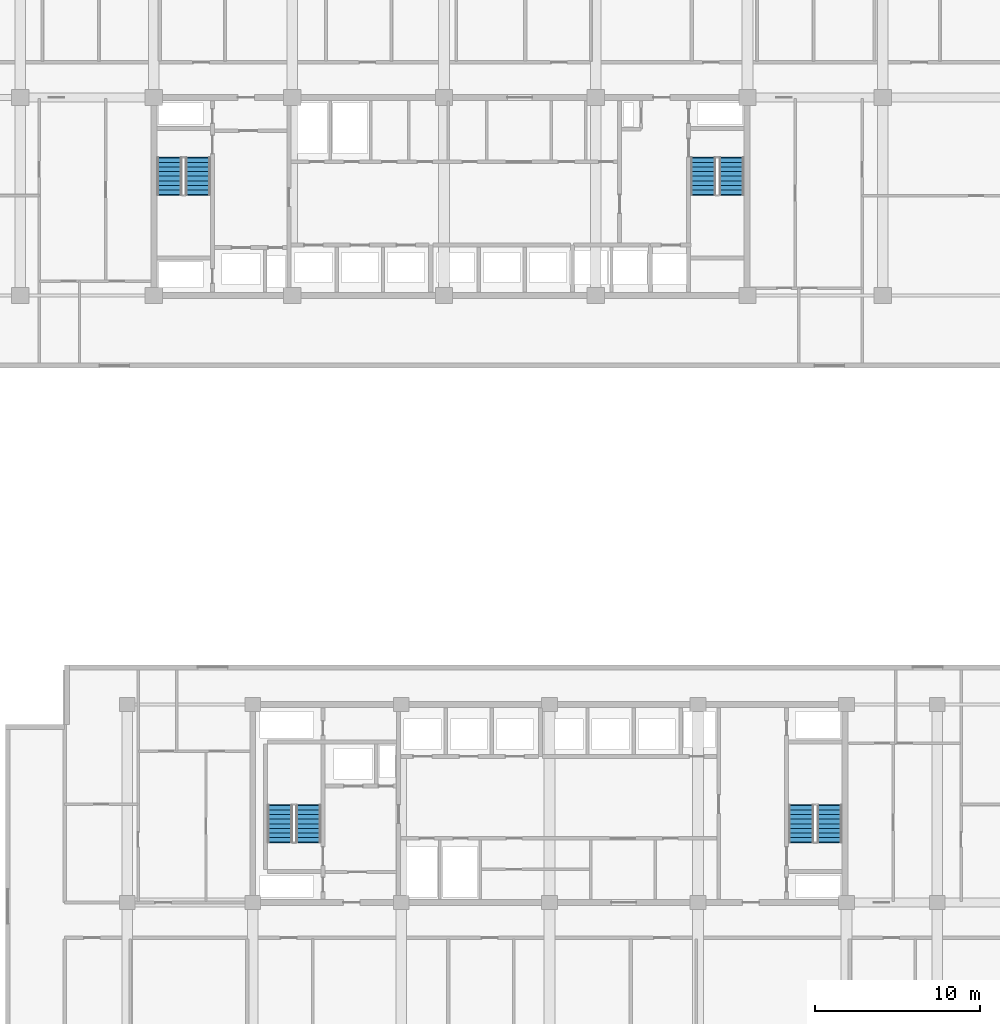
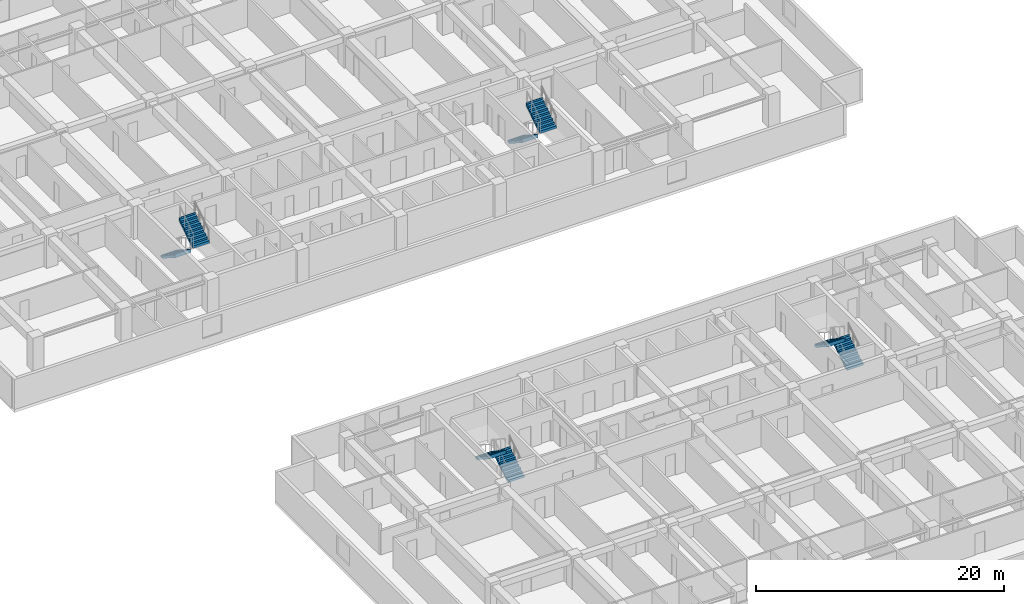
# One storey, part 18 of 23: 8 stair flights, 4 elements without a shape of their own.
"""IFC4 building model written with IfcOpenShell, lengths in metres."""

from ifc_helpers import new_model, si_unit, direction, frame, origin, place, context, subcontext, project, spatial, polyline, outline, extrude, material, type_object, element, aggregate, save


model = new_model("IFC4")

# Units and contexts
model_context = context("Model", 3, precision=1e-05, world=origin(), true_north=direction((0.0, 1.0)))
body_context = subcontext(model_context, "Body", "Model", "MODEL_VIEW")
ifc_project = project(units=[si_unit("LENGTHUNIT", "METRE"), si_unit("AREAUNIT", "SQUARE_METRE"), si_unit("VOLUMEUNIT", "CUBIC_METRE"), si_unit("PLANEANGLEUNIT", "RADIAN"), si_unit("MASSUNIT", "GRAM", prefix="KILO")], contexts=[model_context])

# Site, building, storey
site_placement = place(None, origin())
site = spatial("IfcSite", under=ifc_project, at=site_placement, CompositionType="ELEMENT")
building_placement = place(site_placement, origin())
building = spatial("IfcBuilding", under=site, at=building_placement, Name="Korimba Cascade Residences", CompositionType="ELEMENT")
storey_placement = place(building_placement, frame((0.0, 0.0, 30.5)))
storey = spatial("IfcBuildingStorey", under=building, at=storey_placement, Name="L07", CompositionType="ELEMENT", Elevation=30.5)

# Stair, stair flights
ifc_material = material(Name="Concrete C50/60", Category="concrete")
stair_type_1 = type_object("IfcStairType", Name="STR-W1-18R-1806", PredefinedType="HALF_TURN_STAIR", material=ifc_material)
stair_1_placement = place(storey_placement, origin())
stair_1 = element("IfcStair", 1, at=stair_1_placement, inside=storey, type_object=stair_type_1, Name="L07 Tower 1 West Fire Stair ST-W1", PredefinedType="HALF_TURN_STAIR")
stair_flight_type = type_object("IfcStairFlightType", Name="STF-DL-18R-1806-1520", PredefinedType="STRAIGHT", material=ifc_material)
stair_flight_1_placement = place(storey_placement, frame((77.06005859375, 63.550048828125, 0.0), z_axis=(0.0, 0.0, 1.0), x_axis=(0.0, -1.0, 0.0)))
stair_flight_1 = element("IfcStairFlight", 2, at=stair_flight_1_placement, type_object=stair_flight_type, Name="ST-W1 flight 1", NumberOfRisers=9, NumberOfTreads=8, PredefinedType="STRAIGHT", RiserHeight=0.180555556, TreadLength=0.28, context=body_context, shape_type="SweptSolid", body=[
    extrude(outline(polyline([(-0.0380859375, 0.0), (0.0, 0.1806640625), (0.280029296875, 0.1806640625), (0.280029296875, 0.361083984375), (0.56005859375, 0.361083984375), (0.56005859375, 0.541748046875), (0.840087890625, 0.541748046875), (0.840087890625, 0.72216796875), (1.1201171875, 0.72216796875), (1.1201171875, 0.90283203125), (1.39990234375, 0.90283203125), (1.39990234375, 1.083251953125), (1.679931640625, 1.083251953125), (1.679931640625, 1.263916015625), (1.9599609375, 1.263916015625), (1.9599609375, 1.4443359375), (2.239990234375, 1.4443359375), (2.239990234375, 1.625), (2.278076171875, 1.625), (2.278076171875, 1.26611328125), (0.276611328125, 0.0), (0.276611328125, -0.0380859375), (-0.0380859375, -0.0380859375), (-0.0380859375, 0.0)])), frame((0.0, 0.760009765625, 0.0), z_axis=(0.0, -1.0, 0.0), x_axis=(1.0, 0.0, 0.0)), (0.0, 0.0, 1.0), 1.52001953125),
])
stair_flight_2_placement = place(storey_placement, frame((78.780029296875, 61.31005859375, 1.625), z_axis=(0.0, 0.0, 1.0), x_axis=(0.0, 1.0, 0.0)))
stair_flight_2 = element("IfcStairFlight", 3, at=stair_flight_2_placement, type_object=stair_flight_type, Name="ST-W1 flight 2", NumberOfRisers=9, NumberOfTreads=8, PredefinedType="STRAIGHT", RiserHeight=0.180555556, TreadLength=0.28, context=body_context, shape_type="SweptSolid", body=[
    extrude(outline(polyline([(-0.0380859375, 0.0), (0.0, 0.1806640625), (0.280029296875, 0.1806640625), (0.280029296875, 0.361083984375), (0.56005859375, 0.361083984375), (0.56005859375, 0.541748046875), (0.840087890625, 0.541748046875), (0.840087890625, 0.72216796875), (1.1201171875, 0.72216796875), (1.1201171875, 0.90283203125), (1.39990234375, 0.90283203125), (1.39990234375, 1.083251953125), (1.679931640625, 1.083251953125), (1.679931640625, 1.263916015625), (1.9599609375, 1.263916015625), (1.9599609375, 1.4443359375), (2.239990234375, 1.4443359375), (2.239990234375, 1.625), (2.278076171875, 1.625), (2.278076171875, 1.26611328125), (0.276611328125, 0.0), (0.276611328125, -0.0380859375), (-0.0380859375, -0.0380859375), (-0.0380859375, 0.0)])), frame((0.0, 0.760009765625, 0.0), z_axis=(0.0, -1.0, 0.0), x_axis=(1.0, 0.0, 0.0)), (0.0, 0.0, 1.0), 1.52001953125),
])
aggregate(stair_1, [stair_flight_1, stair_flight_2])

stair_type_2 = type_object("IfcStairType", Name="STR-W2-18R-1806", PredefinedType="HALF_TURN_STAIR", material=ifc_material)
stair_2_placement = place(storey_placement, origin())
stair_2 = element("IfcStair", 4, at=stair_2_placement, inside=storey, type_object=stair_type_2, Name="L07 Tower 1 East Fire Stair ST-W2", PredefinedType="HALF_TURN_STAIR")
stair_flight_3_placement = place(storey_placement, frame((109.419921875, 63.550048828125, 0.0), z_axis=(0.0, 0.0, 1.0), x_axis=(0.0, -1.0, 0.0)))
stair_flight_3 = element("IfcStairFlight", 5, at=stair_flight_3_placement, type_object=stair_flight_type, Name="ST-W2 flight 1", NumberOfRisers=9, NumberOfTreads=8, PredefinedType="STRAIGHT", RiserHeight=0.180555556, TreadLength=0.28, context=body_context, shape_type="SweptSolid", body=[
    extrude(outline(polyline([(-0.0380859375, 0.0), (0.0, 0.1806640625), (0.280029296875, 0.1806640625), (0.280029296875, 0.361083984375), (0.56005859375, 0.361083984375), (0.56005859375, 0.541748046875), (0.840087890625, 0.541748046875), (0.840087890625, 0.72216796875), (1.1201171875, 0.72216796875), (1.1201171875, 0.90283203125), (1.39990234375, 0.90283203125), (1.39990234375, 1.083251953125), (1.679931640625, 1.083251953125), (1.679931640625, 1.263916015625), (1.9599609375, 1.263916015625), (1.9599609375, 1.4443359375), (2.239990234375, 1.4443359375), (2.239990234375, 1.625), (2.278076171875, 1.625), (2.278076171875, 1.26611328125), (0.276611328125, 0.0), (0.276611328125, -0.0380859375), (-0.0380859375, -0.0380859375), (-0.0380859375, 0.0)])), frame((0.0, 0.760009765625, 0.0), z_axis=(0.0, -1.0, 0.0), x_axis=(1.0, 0.0, 0.0)), (0.0, 0.0, 1.0), 1.52001953125),
])
stair_flight_4_placement = place(storey_placement, frame((111.139892578125, 61.31005859375, 1.625), z_axis=(0.0, 0.0, 1.0), x_axis=(0.0, 1.0, 0.0)))
stair_flight_4 = element("IfcStairFlight", 6, at=stair_flight_4_placement, type_object=stair_flight_type, Name="ST-W2 flight 2", NumberOfRisers=9, NumberOfTreads=8, PredefinedType="STRAIGHT", RiserHeight=0.180555556, TreadLength=0.28, context=body_context, shape_type="SweptSolid", body=[
    extrude(outline(polyline([(-0.0380859375, 0.0), (0.0, 0.1806640625), (0.280029296875, 0.1806640625), (0.280029296875, 0.361083984375), (0.56005859375, 0.361083984375), (0.56005859375, 0.541748046875), (0.840087890625, 0.541748046875), (0.840087890625, 0.72216796875), (1.1201171875, 0.72216796875), (1.1201171875, 0.90283203125), (1.39990234375, 0.90283203125), (1.39990234375, 1.083251953125), (1.679931640625, 1.083251953125), (1.679931640625, 1.263916015625), (1.9599609375, 1.263916015625), (1.9599609375, 1.4443359375), (2.239990234375, 1.4443359375), (2.239990234375, 1.625), (2.278076171875, 1.625), (2.278076171875, 1.26611328125), (0.276611328125, 0.0), (0.276611328125, -0.0380859375), (-0.0380859375, -0.0380859375), (-0.0380859375, 0.0)])), frame((0.0, 0.760009765625, 0.0), z_axis=(0.0, -1.0, 0.0), x_axis=(1.0, 0.0, 0.0)), (0.0, 0.0, 1.0), 1.52001953125),
])
aggregate(stair_2, [stair_flight_3, stair_flight_4])

stair_type_3 = type_object("IfcStairType", Name="STR-E1-18R-1806", PredefinedType="HALF_TURN_STAIR", material=ifc_material)
stair_3_placement = place(storey_placement, origin())
stair_3 = element("IfcStair", 7, at=stair_3_placement, inside=storey, type_object=stair_type_3, Name="L07 Tower 2 West Fire Stair ST-E1", PredefinedType="HALF_TURN_STAIR")
stair_flight_5_placement = place(storey_placement, frame((85.47998046875, 22.050048828125, 0.0), z_axis=(0.0, 0.0, 1.0), x_axis=(0.0, 1.0, 0.0)))
stair_flight_5 = element("IfcStairFlight", 8, at=stair_flight_5_placement, type_object=stair_flight_type, Name="ST-E1 flight 1", NumberOfRisers=9, NumberOfTreads=8, PredefinedType="STRAIGHT", RiserHeight=0.180555556, TreadLength=0.28, context=body_context, shape_type="SweptSolid", body=[
    extrude(outline(polyline([(-0.0380859375, 0.0), (0.0, 0.1806640625), (0.280029296875, 0.1806640625), (0.280029296875, 0.361083984375), (0.56005859375, 0.361083984375), (0.56005859375, 0.541748046875), (0.840087890625, 0.541748046875), (0.840087890625, 0.72216796875), (1.1201171875, 0.72216796875), (1.1201171875, 0.90283203125), (1.39990234375, 0.90283203125), (1.39990234375, 1.083251953125), (1.679931640625, 1.083251953125), (1.679931640625, 1.263916015625), (1.9599609375, 1.263916015625), (1.9599609375, 1.4443359375), (2.239990234375, 1.4443359375), (2.239990234375, 1.625), (2.278076171875, 1.625), (2.278076171875, 1.26611328125), (0.276611328125, 0.0), (0.276611328125, -0.0380859375), (-0.0380859375, -0.0380859375), (-0.0380859375, 0.0)])), frame((0.0, 0.760009765625, 0.0), z_axis=(0.0, -1.0, 0.0), x_axis=(1.0, 0.0, 0.0)), (0.0, 0.0, 1.0), 1.52001953125),
])
stair_flight_6_placement = place(storey_placement, frame((83.760009765625, 24.2900390625, 1.625), z_axis=(0.0, 0.0, 1.0), x_axis=(0.0, -1.0, 0.0)))
stair_flight_6 = element("IfcStairFlight", 9, at=stair_flight_6_placement, type_object=stair_flight_type, Name="ST-E1 flight 2", NumberOfRisers=9, NumberOfTreads=8, PredefinedType="STRAIGHT", RiserHeight=0.180555556, TreadLength=0.28, context=body_context, shape_type="SweptSolid", body=[
    extrude(outline(polyline([(-0.0380859375, 0.0), (0.0, 0.1806640625), (0.280029296875, 0.1806640625), (0.280029296875, 0.361083984375), (0.56005859375, 0.361083984375), (0.56005859375, 0.541748046875), (0.840087890625, 0.541748046875), (0.840087890625, 0.72216796875), (1.1201171875, 0.72216796875), (1.1201171875, 0.90283203125), (1.39990234375, 0.90283203125), (1.39990234375, 1.083251953125), (1.679931640625, 1.083251953125), (1.679931640625, 1.263916015625), (1.9599609375, 1.263916015625), (1.9599609375, 1.4443359375), (2.239990234375, 1.4443359375), (2.239990234375, 1.625), (2.278076171875, 1.625), (2.278076171875, 1.26611328125), (0.276611328125, 0.0), (0.276611328125, -0.0380859375), (-0.0380859375, -0.0380859375), (-0.0380859375, 0.0)])), frame((0.0, 0.760009765625, 0.0), z_axis=(0.0, -1.0, 0.0), x_axis=(1.0, 0.0, 0.0)), (0.0, 0.0, 1.0), 1.52001953125),
])
aggregate(stair_3, [stair_flight_5, stair_flight_6])

stair_type_4 = type_object("IfcStairType", Name="STR-E2-18R-1806", PredefinedType="HALF_TURN_STAIR", material=ifc_material)
stair_4_placement = place(storey_placement, origin())
stair_4 = element("IfcStair", 10, at=stair_4_placement, inside=storey, type_object=stair_type_4, Name="L07 Tower 2 East Fire Stair ST-E2", PredefinedType="HALF_TURN_STAIR")
stair_flight_7_placement = place(storey_placement, frame((117.080078125, 22.050048828125, 0.0), z_axis=(0.0, 0.0, 1.0), x_axis=(0.0, 1.0, 0.0)))
stair_flight_7 = element("IfcStairFlight", 11, at=stair_flight_7_placement, type_object=stair_flight_type, Name="ST-E2 flight 1", NumberOfRisers=9, NumberOfTreads=8, PredefinedType="STRAIGHT", RiserHeight=0.180555556, TreadLength=0.28, context=body_context, shape_type="SweptSolid", body=[
    extrude(outline(polyline([(-0.0380859375, 0.0), (0.0, 0.1806640625), (0.280029296875, 0.1806640625), (0.280029296875, 0.361083984375), (0.56005859375, 0.361083984375), (0.56005859375, 0.541748046875), (0.840087890625, 0.541748046875), (0.840087890625, 0.72216796875), (1.1201171875, 0.72216796875), (1.1201171875, 0.90283203125), (1.39990234375, 0.90283203125), (1.39990234375, 1.083251953125), (1.679931640625, 1.083251953125), (1.679931640625, 1.263916015625), (1.9599609375, 1.263916015625), (1.9599609375, 1.4443359375), (2.239990234375, 1.4443359375), (2.239990234375, 1.625), (2.278076171875, 1.625), (2.278076171875, 1.26611328125), (0.276611328125, 0.0), (0.276611328125, -0.0380859375), (-0.0380859375, -0.0380859375), (-0.0380859375, 0.0)])), frame((0.0, 0.760009765625, 0.0), z_axis=(0.0, -1.0, 0.0), x_axis=(1.0, 0.0, 0.0)), (0.0, 0.0, 1.0), 1.52001953125),
])
stair_flight_8_placement = place(storey_placement, frame((115.360107421875, 24.2900390625, 1.625), z_axis=(0.0, 0.0, 1.0), x_axis=(0.0, -1.0, 0.0)))
stair_flight_8 = element("IfcStairFlight", 12, at=stair_flight_8_placement, type_object=stair_flight_type, Name="ST-E2 flight 2", NumberOfRisers=9, NumberOfTreads=8, PredefinedType="STRAIGHT", RiserHeight=0.180555556, TreadLength=0.28, context=body_context, shape_type="SweptSolid", body=[
    extrude(outline(polyline([(-0.0380859375, 0.0), (0.0, 0.1806640625), (0.280029296875, 0.1806640625), (0.280029296875, 0.361083984375), (0.56005859375, 0.361083984375), (0.56005859375, 0.541748046875), (0.840087890625, 0.541748046875), (0.840087890625, 0.72216796875), (1.1201171875, 0.72216796875), (1.1201171875, 0.90283203125), (1.39990234375, 0.90283203125), (1.39990234375, 1.083251953125), (1.679931640625, 1.083251953125), (1.679931640625, 1.263916015625), (1.9599609375, 1.263916015625), (1.9599609375, 1.4443359375), (2.239990234375, 1.4443359375), (2.239990234375, 1.625), (2.278076171875, 1.625), (2.278076171875, 1.26611328125), (0.276611328125, 0.0), (0.276611328125, -0.0380859375), (-0.0380859375, -0.0380859375), (-0.0380859375, 0.0)])), frame((0.0, 0.760009765625, 0.0), z_axis=(0.0, -1.0, 0.0), x_axis=(1.0, 0.0, 0.0)), (0.0, 0.0, 1.0), 1.52001953125),
])
aggregate(stair_4, [stair_flight_7, stair_flight_8])

save(model, "model.ifc")
